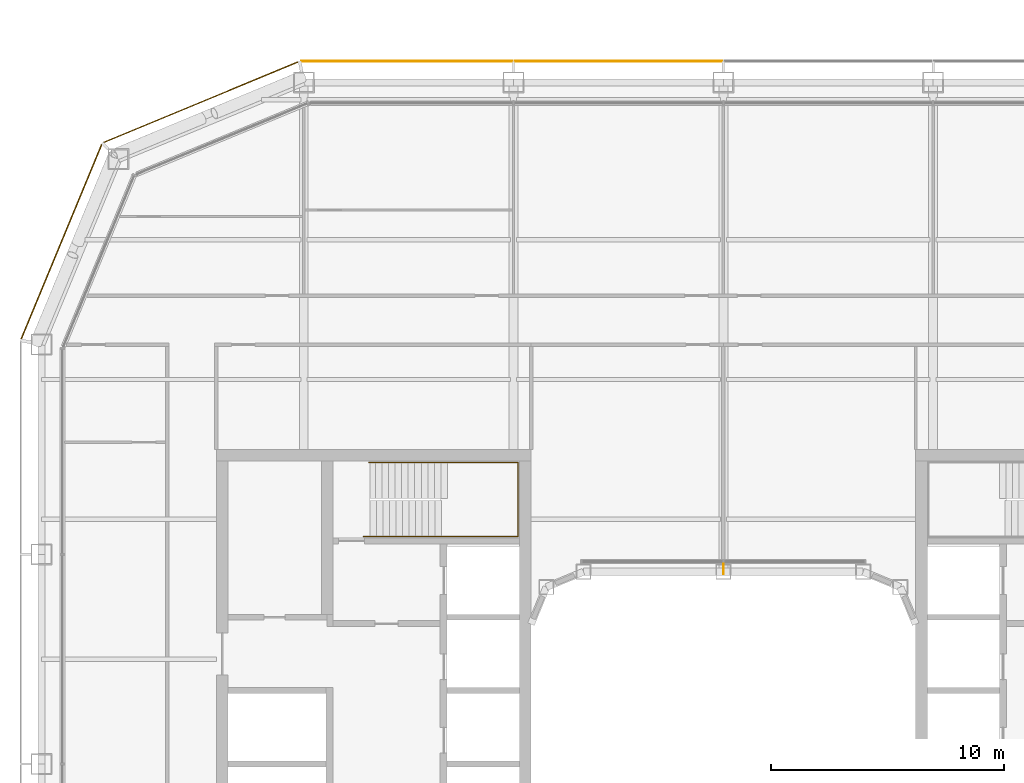
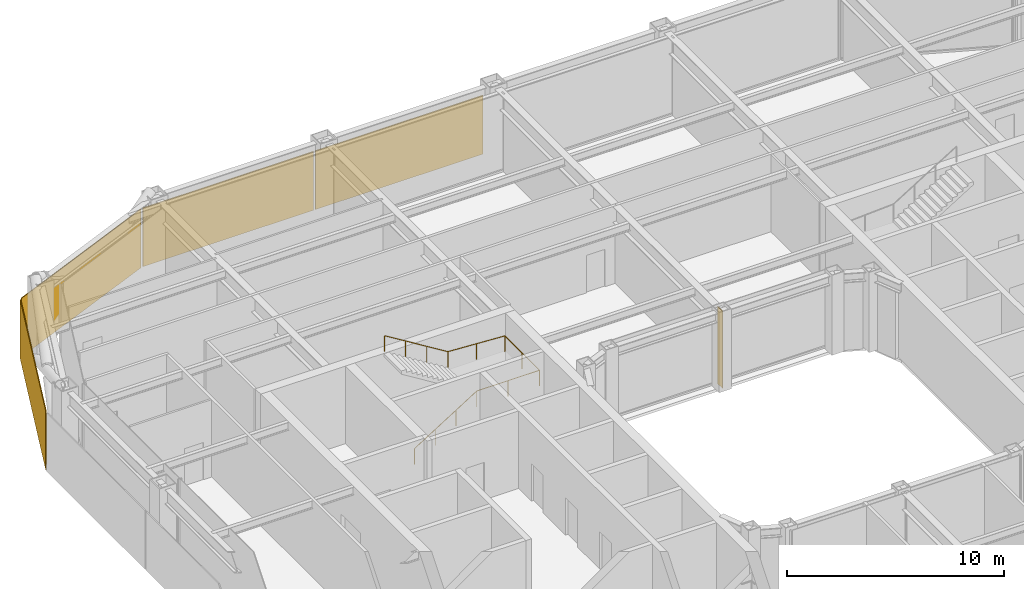
# One storey, part 21 of 23: 4 coverings, 1 railing, 1 shading device.
"""IFC4 building model written with IfcOpenShell, lengths in metres."""

from ifc_helpers import new_model, si_unit, direction, frame, origin, origin_2d, place, context, subcontext, project, spatial, rectangle, circle, extrude, material, layer, layer_set, type_object, element, save


model = new_model("IFC4")

# Units and contexts
model_context = context("Model", 3, precision=1e-05, world=origin(), true_north=direction((0.0, 1.0)))
body_context = subcontext(model_context, "Body", "Model", "MODEL_VIEW")
ifc_project = project(units=[si_unit("LENGTHUNIT", "METRE"), si_unit("AREAUNIT", "SQUARE_METRE"), si_unit("VOLUMEUNIT", "CUBIC_METRE"), si_unit("PLANEANGLEUNIT", "RADIAN"), si_unit("MASSUNIT", "GRAM", prefix="KILO")], contexts=[model_context])

# Site, building, storey
site_placement = place(None, origin())
site = spatial("IfcSite", under=ifc_project, at=site_placement, CompositionType="ELEMENT")
building_placement = place(site_placement, origin())
building = spatial("IfcBuilding", under=site, at=building_placement, Name="Siwar Civic Tower", CompositionType="ELEMENT")
storey_placement = place(building_placement, frame((0.0, 0.0, 167.699951171875)))
storey = spatial("IfcBuildingStorey", under=building, at=storey_placement, Name="L36", CompositionType="ELEMENT", Elevation=167.699951171875)

# Railing
ifc_material_1 = material(Name="Stainless steel", Category="steel")
railing_type = type_object("IfcRailingType", Name="CORE-STAIR-HANDRAIL", PredefinedType="HANDRAIL", material=ifc_material_1)
railing_placement = place(storey_placement, frame((-15.449951171875, 9.758056640625, 0.173095703125)))
element("IfcRailing", 1, at=railing_placement, inside=storey, type_object=railing_type, Name="Stair handrail ST1", PredefinedType="HANDRAIL", context=body_context, shape_type="SweptSolid", body=[
    extrude(circle(Radius=0.02001953125, at=origin_2d()), frame((0.0, 0.0, 0.8798828125), z_axis=(0.847063342986, 0.0, 0.531491950051), x_axis=(0.0, 1.0, 0.0)), (0.0, 0.0, 1.0), 3.90771484375),
    extrude(circle(Radius=0.02001953125, at=origin_2d()), frame((3.31005859375, 0.0, 2.956787109375), z_axis=(1.0, 0.0, 0.0), x_axis=(0.0, 1.0, 0.0)), (0.0, 0.0, 1.0), 3.331787109375),
    extrude(circle(Radius=0.02001953125, at=origin_2d()), frame((6.641845703125, 0.0, 2.956787109375), z_axis=(0.0, 1.0, 0.0), x_axis=(-1.0, 0.0, 0.0)), (0.0, 0.0, 1.0), 3.183837890625),
    extrude(circle(Radius=0.02001953125, at=origin_2d()), frame((6.641845703125, 3.183837890625, 2.956787109375), z_axis=(-0.99837434197, 0.0, 0.056997134106), x_axis=(0.0, -1.0, 0.0)), (0.0, 0.0, 1.0), 3.036865234375),
    extrude(circle(Radius=0.02001953125, at=origin_2d()), frame((3.60986328125, 3.183837890625, 3.1298828125), z_axis=(-0.850606129759, 0.0, 0.525803396734), x_axis=(0.0, -1.0, 0.0)), (0.0, 0.0, 1.0), 3.949951171875),
    extrude(circle(Radius=0.02001953125, at=origin_2d()), origin(), (0.0, 0.0, 1.0), 0.85986328125),
    extrude(circle(Radius=0.02001953125, at=origin_2d()), frame((1.103271484375, 0.0, 0.6923828125)), (0.0, 0.0, 1.0), 0.85986328125),
    extrude(circle(Radius=0.02001953125, at=origin_2d()), frame((2.206787109375, 0.0, 1.384521484375)), (0.0, 0.0, 1.0), 0.85986328125),
    extrude(circle(Radius=0.02001953125, at=origin_2d()), frame((3.31005859375, 0.0, 2.076904296875)), (0.0, 0.0, 1.0), 0.85986328125),
    extrude(circle(Radius=0.02001953125, at=origin_2d()), frame((4.97607421875, 0.0, 2.076904296875)), (0.0, 0.0, 1.0), 0.85986328125),
    extrude(circle(Radius=0.02001953125, at=origin_2d()), frame((6.641845703125, 0.0, 2.076904296875)), (0.0, 0.0, 1.0), 0.85986328125),
    extrude(circle(Radius=0.02001953125, at=origin_2d()), frame((6.641845703125, 1.591796875, 2.076904296875)), (0.0, 0.0, 1.0), 0.85986328125),
    extrude(circle(Radius=0.02001953125, at=origin_2d()), frame((6.641845703125, 3.183837890625, 2.076904296875)), (0.0, 0.0, 1.0), 0.85986328125),
    extrude(circle(Radius=0.02001953125, at=origin_2d()), frame((5.1259765625, 3.183837890625, 2.16357421875)), (0.0, 0.0, 1.0), 0.85986328125),
    extrude(circle(Radius=0.02001953125, at=origin_2d()), frame((3.60986328125, 3.183837890625, 2.25)), (0.0, 0.0, 1.0), 0.85986328125),
    extrude(circle(Radius=0.02001953125, at=origin_2d()), frame((2.489990234375, 3.183837890625, 2.9423828125)), (0.0, 0.0, 1.0), 0.85986328125),
    extrude(circle(Radius=0.02001953125, at=origin_2d()), frame((1.369873046875, 3.183837890625, 3.634521484375)), (0.0, 0.0, 1.0), 0.85986328125),
    extrude(circle(Radius=0.02001953125, at=origin_2d()), frame((0.25, 3.183837890625, 4.326904296875)), (0.0, 0.0, 1.0), 0.85986328125),
])

# Shading device
ifc_material_2 = material(Name="Aluminium 6063-T6", Category="aluminium")
ifc_layer_1 = layer(ifc_material_2, 0.02001953125)
ifc_layer_set_1 = layer_set([ifc_layer_1], Name="Aluminium 6063-T6")
shading_device_type = type_object("IfcShadingDeviceType", Name="ENV-FIN", PredefinedType="JALOUSIE", material=ifc_layer_set_1)
shading_device_placement = place(storey_placement, frame((0.0, 8.3701171875, 0.0), z_axis=(0.0, 0.0, 1.0), x_axis=(-1.0, 0.0, 0.0)))
element("IfcShadingDevice", 2, at=shading_device_placement, inside=storey, type_object=shading_device_type, Name="SUNSHADE fin WN 1", PredefinedType="JALOUSIE", context=body_context, shape_type="SweptSolid", body=[
    extrude(rectangle(XDim=0.02001953125, YDim=0.449951171875, at=origin_2d()), origin(), (0.0, 0.0, 1.0), 4.35009765625),
])

# Coverings
ifc_material_3 = material(Name="Perforated aluminium cassette, pale metal", Category="aluminium")
ifc_layer_2 = layer(ifc_material_3, 0.0400390625)
ifc_layer_set_2 = layer_set([ifc_layer_2], Name="Perforated aluminium cassette, pale metal")
covering_type_1 = type_object("IfcCoveringType", Name="ENV-OUTER SKIN OS-1", PredefinedType="CLADDING", material=ifc_layer_set_2)
covering_1_placement = place(storey_placement, frame((-4.5, 30.14990234375, -0.14990234375), z_axis=(0.0, 0.0, 1.0), x_axis=(-1.0, 0.0, 0.0)))
element("IfcCovering", 3, at=covering_1_placement, inside=storey, type_object=covering_type_1, Name="OUTER SKIN OS-1 N 3", PredefinedType="CLADDING", context=body_context, shape_type="SweptSolid", body=[
    extrude(rectangle(XDim=8.89990234375, YDim=0.0400390625, at=origin_2d()), origin(), (0.0, 0.0, 1.0), 3.300048828125),
])
covering_2_placement = place(storey_placement, frame((-13.57958984375, 30.14990234375, -0.14990234375), z_axis=(0.0, 0.0, 1.0), x_axis=(-1.0, 0.0, 0.0)))
element("IfcCovering", 4, at=covering_2_placement, inside=storey, type_object=covering_type_1, Name="OUTER SKIN OS-1 N 4", PredefinedType="CLADDING", context=body_context, shape_type="SweptSolid", body=[
    extrude(rectangle(XDim=9.05908203125, YDim=0.0400390625, at=origin_2d()), origin(), (0.0, 0.0, 1.0), 3.300048828125),
])
covering_3_placement = place(storey_placement, frame((-22.411376953125, 28.39697265625, -0.14990234375), z_axis=(0.0, 0.0, 1.0), x_axis=(-0.923879532511, -0.382683432365, 0.0)))
element("IfcCovering", 5, at=covering_3_placement, inside=storey, type_object=covering_type_1, Name="OUTER SKIN OS-1 NW1 1", PredefinedType="CLADDING", context=body_context, shape_type="SweptSolid", body=[
    extrude(rectangle(XDim=9.022216796875, YDim=0.0400390625, at=origin_2d()), origin(), (0.0, 0.0, 1.0), 3.300048828125),
])
ifc_material_4 = material(Name="Perforated aluminium cassette, pale metal", Category="aluminium")
ifc_layer_3 = layer(ifc_material_4, 0.044921875)
ifc_layer_set_3 = layer_set([ifc_layer_3], Name="Perforated aluminium cassette, pale metal")
covering_type_2 = type_object("IfcCoveringType", Name="ENV-OUTER SKIN OS-2", PredefinedType="CLADDING", material=ifc_layer_set_3)
covering_4_placement = place(storey_placement, frame((-28.39697265625, 22.411376953125, -0.14990234375), z_axis=(0.0, 0.0, 1.0), x_axis=(-0.382683432365, -0.923879532511, 0.0)))
element("IfcCovering", 6, at=covering_4_placement, inside=storey, type_object=covering_type_2, Name="OUTER SKIN OS-2 NW2 1", PredefinedType="CLADDING", context=body_context, shape_type="SweptSolid", body=[
    extrude(rectangle(XDim=9.022216796875, YDim=0.044921875, at=origin_2d()), origin(), (0.0, 0.0, 1.0), 3.300048828125),
])

save(model, "model.ifc")
